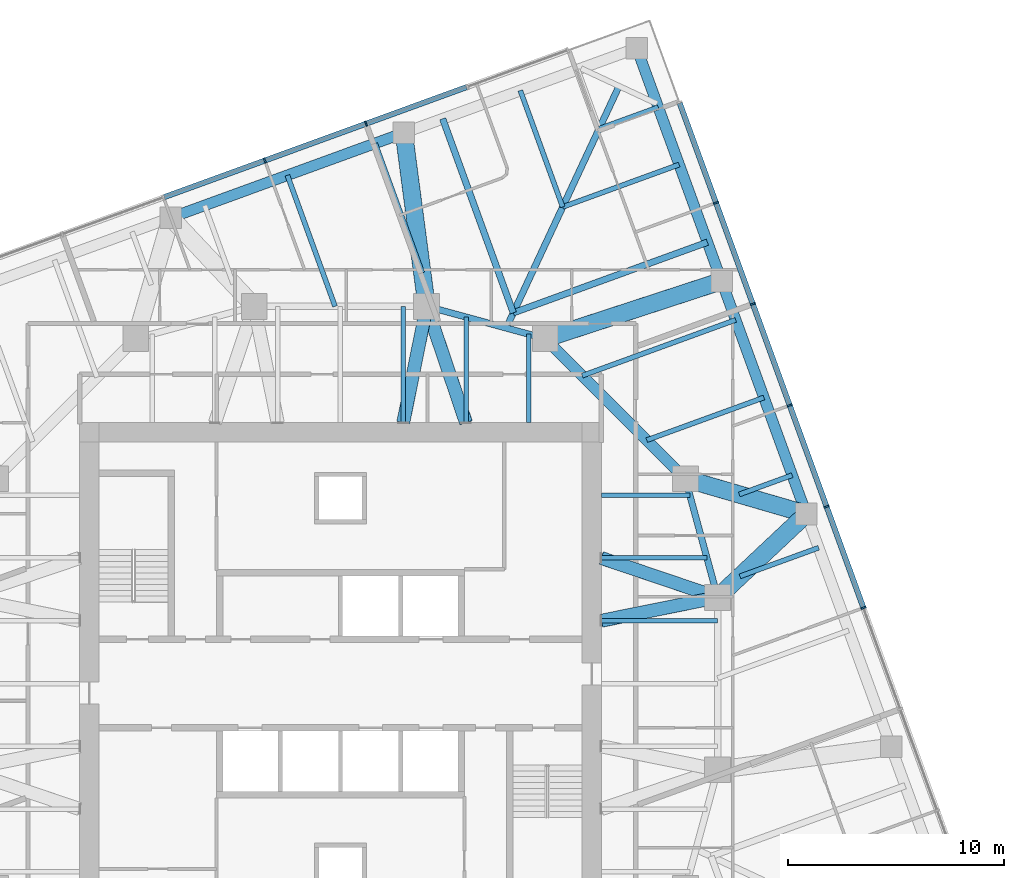
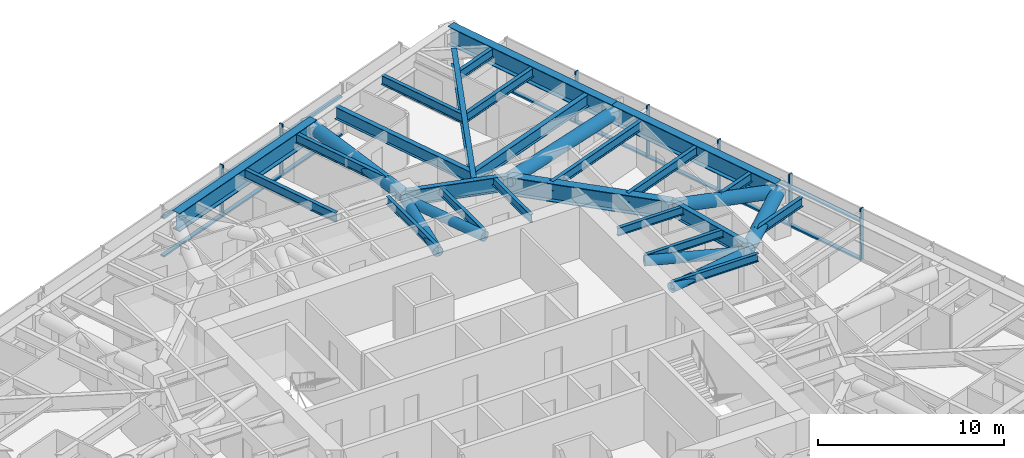
# One storey, part 6 of 16: 31 members, 24 beams, 2 elements without a shape of their own.
"""IFC4 building model written with IfcOpenShell, lengths in metres."""

from ifc_helpers import new_model, si_unit, direction, frame, origin, origin_2d, place, context, subcontext, project, spatial, rectangle, hollow_circle, i_section, extrude, material, material_profile, profile_set, type_object, element, aggregate, save


model = new_model("IFC4")

# Units and contexts
model_context = context("Model", 3, precision=1e-05, world=origin(), true_north=direction((0.0, 1.0)))
body_context = subcontext(model_context, "Body", "Model", "MODEL_VIEW")
ifc_project = project(units=[si_unit("LENGTHUNIT", "METRE"), si_unit("AREAUNIT", "SQUARE_METRE"), si_unit("VOLUMEUNIT", "CUBIC_METRE"), si_unit("PLANEANGLEUNIT", "RADIAN"), si_unit("MASSUNIT", "GRAM", prefix="KILO")], contexts=[model_context])

# Site, building, storey
site_placement = place(None, origin())
site = spatial("IfcSite", under=ifc_project, at=site_placement, CompositionType="ELEMENT")
building_placement = place(site_placement, origin())
building = spatial("IfcBuilding", under=site, at=building_placement, Name="Torsade Residences", CompositionType="ELEMENT")
storey_placement = place(building_placement, frame((0.0, 0.0, 167.60009765625)))
storey = spatial("IfcBuildingStorey", under=building, at=storey_placement, Name="L46", CompositionType="ELEMENT", Elevation=167.60009765625)

# Beams
ifc_material_1 = material(Name="Steel grade 300", Category="steel")
ifc_material_profile_1 = material_profile(ifc_material_1, i_section(OverallWidth=0.300048828125, OverallDepth=1.0, WebThickness=0.01611328125, FlangeThickness=0.028076171875, at=origin_2d()), Name="1000WB215")
ifc_profile_set_1 = profile_set([ifc_material_profile_1], Name="Steel grade 300")
beam_type_1 = type_object("IfcBeamType", Name="CORNER GIRDER 1000WB215", PredefinedType="BEAM", material=ifc_profile_set_1)
beam_1_placement = place(storey_placement, frame((52.924560546875, 57.717041015625, 2.699951171875), z_axis=(-0.422616712682, -0.906308509373, 0.0), x_axis=(0.906308509373, -0.422616712682, 0.0)))
element("IfcBeam", 1, at=beam_1_placement, inside=storey, type_object=beam_type_1, Name="Corner girder 09 L47", PredefinedType="BEAM", context=body_context, shape_type="SweptSolid", body=[
    extrude(i_section(OverallWidth=0.300048828125, OverallDepth=1.0, WebThickness=0.01611328125, FlangeThickness=0.028076171875, at=origin_2d()), origin(), (0.0, 0.0, 1.0), 12.3837890625),
])
ifc_material_2 = material(Name="Steel grade 300", Category="steel")
ifc_material_profile_2 = material_profile(ifc_material_2, i_section(OverallWidth=0.208984375, OverallDepth=0.528076171875, WebThickness=0.009521484375, FlangeThickness=0.01318359375, FilletRadius=0.013916015625, at=origin_2d()), Name="530UB82.0")
ifc_profile_set_2 = profile_set([ifc_material_profile_2], Name="Steel grade 300")
beam_type_2 = type_object("IfcBeamType", Name="INNER FLOOR BEAM 530UB82.0", PredefinedType="JOIST", material=ifc_profile_set_2)
beam_2_placement = place(storey_placement, frame((42.91259765625, 42.10009765625, 2.935791015625), z_axis=(0.0, 1.0, 0.0), x_axis=(-1.0, 0.0, 0.0)))
element("IfcBeam", 2, at=beam_2_placement, inside=storey, type_object=beam_type_2, Name="Inner floor beam IN05 L47", PredefinedType="JOIST", context=body_context, shape_type="SweptSolid", body=[
    extrude(i_section(OverallWidth=0.208984375, OverallDepth=0.528076171875, WebThickness=0.009521484375, FlangeThickness=0.01318359375, FilletRadius=0.013916015625, at=origin_2d()), origin(), (0.0, 0.0, 1.0), 5.39990234375),
])
beam_3_placement = place(storey_placement, frame((45.824951171875, 42.10009765625, 2.935791015625), z_axis=(0.0, 1.0, 0.0), x_axis=(-1.0, 0.0, 0.0)))
element("IfcBeam", 3, at=beam_3_placement, inside=storey, type_object=beam_type_2, Name="Inner floor beam IN06 L47", PredefinedType="JOIST", context=body_context, shape_type="SweptSolid", body=[
    extrude(i_section(OverallWidth=0.208984375, OverallDepth=0.528076171875, WebThickness=0.009521484375, FlangeThickness=0.01318359375, FilletRadius=0.013916015625, at=origin_2d()), origin(), (0.0, 0.0, 1.0), 4.902099609375),
])
beam_4_placement = place(storey_placement, frame((48.737548828125, 42.10009765625, 2.935791015625), z_axis=(0.0, 1.0, 0.0), x_axis=(-1.0, 0.0, 0.0)))
element("IfcBeam", 4, at=beam_4_placement, inside=storey, type_object=beam_type_2, Name="Inner floor beam IN07 L47", PredefinedType="JOIST", context=body_context, shape_type="SweptSolid", body=[
    extrude(i_section(OverallWidth=0.208984375, OverallDepth=0.528076171875, WebThickness=0.009521484375, FlangeThickness=0.01318359375, FilletRadius=0.013916015625, at=origin_2d()), origin(), (0.0, 0.0, 1.0), 4.10791015625),
])
beam_5_placement = place(storey_placement, frame((52.10009765625, 32.91259765625, 2.935791015625), z_axis=(1.0, 0.0, 0.0), x_axis=(0.0, 1.0, 0.0)))
element("IfcBeam", 5, at=beam_5_placement, inside=storey, type_object=beam_type_2, Name="Inner floor beam IE05 L47", PredefinedType="JOIST", context=body_context, shape_type="SweptSolid", body=[
    extrude(i_section(OverallWidth=0.208984375, OverallDepth=0.528076171875, WebThickness=0.009521484375, FlangeThickness=0.01318359375, FilletRadius=0.013916015625, at=origin_2d()), origin(), (0.0, 0.0, 1.0), 5.39990234375),
])
beam_6_placement = place(storey_placement, frame((52.10009765625, 35.824951171875, 2.935791015625), z_axis=(1.0, 0.0, 0.0), x_axis=(0.0, 1.0, 0.0)))
element("IfcBeam", 6, at=beam_6_placement, inside=storey, type_object=beam_type_2, Name="Inner floor beam IE06 L47", PredefinedType="JOIST", context=body_context, shape_type="SweptSolid", body=[
    extrude(i_section(OverallWidth=0.208984375, OverallDepth=0.528076171875, WebThickness=0.009521484375, FlangeThickness=0.01318359375, FilletRadius=0.013916015625, at=origin_2d()), origin(), (0.0, 0.0, 1.0), 4.902099609375),
])
beam_7_placement = place(storey_placement, frame((52.10009765625, 38.737548828125, 2.935791015625), z_axis=(1.0, 0.0, 0.0), x_axis=(0.0, 1.0, 0.0)))
element("IfcBeam", 7, at=beam_7_placement, inside=storey, type_object=beam_type_2, Name="Inner floor beam IE07 L47", PredefinedType="JOIST", context=body_context, shape_type="SweptSolid", body=[
    extrude(i_section(OverallWidth=0.208984375, OverallDepth=0.528076171875, WebThickness=0.009521484375, FlangeThickness=0.01318359375, FilletRadius=0.013916015625, at=origin_2d()), origin(), (0.0, 0.0, 1.0), 4.10791015625),
])

# Curtain wall, members
ifc_material_3 = material(Name="Aluminium and glass", Category="aluminium")
curtain_wall_type = type_object("IfcCurtainWallType", Name="FRITTED GLASS CURTAIN WALL MID ZONE", PredefinedType="NOTDEFINED", material=ifc_material_3)
curtain_wall_1_placement = place(storey_placement, origin())
curtain_wall_1 = element("IfcCurtainWall", 8, at=curtain_wall_1_placement, inside=storey, type_object=curtain_wall_type, Name="Curtain wall L46 face 4", PredefinedType="NOTDEFINED")
ifc_material_4 = material(Name="Aluminium mullion", Category="aluminium")
ifc_material_profile_3 = material_profile(ifc_material_4, rectangle(XDim=0.25, YDim=0.080078125, at=origin_2d()), Name="MID ZONE CURTAIN WALL MULLION 250x80")
ifc_profile_set_3 = profile_set([ifc_material_profile_3], Name="Aluminium mullion")
member_type_1 = type_object("IfcMemberType", Name="MID ZONE CURTAIN WALL MULLION 250x80", PredefinedType="MULLION", material=ifc_profile_set_3)
member_1_placement = place(storey_placement, frame((64.2626953125, 33.510009765625, 0.0), z_axis=(0.0, 0.0, 1.0), x_axis=(-0.939692619132, -0.342020147869, 0.0)))
member_1 = element("IfcMember", 9, at=member_1_placement, type_object=member_type_1, Name="Mullion 4", PredefinedType="MULLION", context=body_context, shape_type="SweptSolid", body=[
    extrude(rectangle(XDim=0.25, YDim=0.080078125, at=origin_2d()), origin(), (0.0, 0.0, 1.0), 3.39990234375),
])
member_2_placement = place(storey_placement, frame((62.552734375, 38.20849609375, 0.0), z_axis=(0.0, 0.0, 1.0), x_axis=(-0.939692619132, -0.342020147869, 0.0)))
member_2 = element("IfcMember", 10, at=member_2_placement, type_object=member_type_1, Name="Mullion 5", PredefinedType="MULLION", context=body_context, shape_type="SweptSolid", body=[
    extrude(rectangle(XDim=0.25, YDim=0.080078125, at=origin_2d()), origin(), (0.0, 0.0, 1.0), 3.39990234375),
])
member_3_placement = place(storey_placement, frame((60.842529296875, 42.906982421875, 0.0), z_axis=(0.0, 0.0, 1.0), x_axis=(-0.939692619132, -0.342020147869, 0.0)))
member_3 = element("IfcMember", 11, at=member_3_placement, type_object=member_type_1, Name="Mullion 6", PredefinedType="MULLION", context=body_context, shape_type="SweptSolid", body=[
    extrude(rectangle(XDim=0.25, YDim=0.080078125, at=origin_2d()), origin(), (0.0, 0.0, 1.0), 3.39990234375),
])
member_4_placement = place(storey_placement, frame((59.13232421875, 47.60546875, 0.0), z_axis=(0.0, 0.0, 1.0), x_axis=(-0.939692619132, -0.342020147869, 0.0)))
member_4 = element("IfcMember", 12, at=member_4_placement, type_object=member_type_1, Name="Mullion 7", PredefinedType="MULLION", context=body_context, shape_type="SweptSolid", body=[
    extrude(rectangle(XDim=0.25, YDim=0.080078125, at=origin_2d()), origin(), (0.0, 0.0, 1.0), 3.39990234375),
])
member_5_placement = place(storey_placement, frame((57.42236328125, 52.303955078125, 0.0), z_axis=(0.0, 0.0, 1.0), x_axis=(-0.939692619132, -0.342020147869, 0.0)))
member_5 = element("IfcMember", 13, at=member_5_placement, type_object=member_type_1, Name="Mullion 8", PredefinedType="MULLION", context=body_context, shape_type="SweptSolid", body=[
    extrude(rectangle(XDim=0.25, YDim=0.080078125, at=origin_2d()), origin(), (0.0, 0.0, 1.0), 3.39990234375),
])

curtain_wall_2_placement = place(storey_placement, origin())
curtain_wall_2 = element("IfcCurtainWall", 14, at=curtain_wall_2_placement, inside=storey, type_object=curtain_wall_type, Name="Curtain wall L46 face 7", PredefinedType="NOTDEFINED")
member_6_placement = place(storey_placement, frame((41.1884765625, 55.972900390625, 0.0), z_axis=(0.0, 0.0, 1.0), x_axis=(0.342020147869, -0.939692619132, 0.0)))
member_6 = element("IfcMember", 15, at=member_6_placement, type_object=member_type_1, Name="Mullion 3", PredefinedType="MULLION", context=body_context, shape_type="SweptSolid", body=[
    extrude(rectangle(XDim=0.25, YDim=0.080078125, at=origin_2d()), origin(), (0.0, 0.0, 1.0), 3.39990234375),
])
member_7_placement = place(storey_placement, frame((36.489990234375, 54.2626953125, 0.0), z_axis=(0.0, 0.0, 1.0), x_axis=(0.342020147869, -0.939692619132, 0.0)))
member_7 = element("IfcMember", 16, at=member_7_placement, type_object=member_type_1, Name="Mullion 4", PredefinedType="MULLION", context=body_context, shape_type="SweptSolid", body=[
    extrude(rectangle(XDim=0.25, YDim=0.080078125, at=origin_2d()), origin(), (0.0, 0.0, 1.0), 3.39990234375),
])

# Member
ifc_material_5 = material(Name="Aluminium transom", Category="aluminium")
ifc_material_profile_4 = material_profile(ifc_material_5, rectangle(XDim=0.25, YDim=0.110107421875, at=origin_2d()), Name="MID ZONE CURTAIN WALL TRANSOM 250x110")
ifc_profile_set_4 = profile_set([ifc_material_profile_4], Name="Aluminium transom")
member_type_2 = type_object("IfcMemberType", Name="MID ZONE CURTAIN WALL TRANSOM 250x110", PredefinedType="USERDEFINED", material=ifc_profile_set_4)
member_8_placement = place(storey_placement, frame((64.2490234375, 33.547607421875, 0.054931640625), z_axis=(-0.341998044792, 0.9397006637, 0.0), x_axis=(-0.9397006637, -0.341998044792, 0.0)))
member_8 = element("IfcMember", 17, at=member_8_placement, type_object=member_type_2, Name="Transom 4.1", ObjectType="TRANSOM", PredefinedType="USERDEFINED", context=body_context, shape_type="SweptSolid", body=[
    extrude(rectangle(XDim=0.25, YDim=0.110107421875, at=origin_2d()), origin(), (0.0, 0.0, 1.0), 4.919921875),
])

member_9_placement = place(storey_placement, frame((64.2490234375, 33.547607421875, 2.554931640625), z_axis=(-0.341998044792, 0.9397006637, 0.0), x_axis=(-0.9397006637, -0.341998044792, 0.0)))
member_9 = element("IfcMember", 18, at=member_9_placement, type_object=member_type_2, Name="Transom 4.2", ObjectType="TRANSOM", PredefinedType="USERDEFINED", context=body_context, shape_type="SweptSolid", body=[
    extrude(rectangle(XDim=0.25, YDim=0.110107421875, at=origin_2d()), origin(), (0.0, 0.0, 1.0), 4.919921875),
])

member_10_placement = place(storey_placement, frame((62.5390625, 38.24609375, 0.054931640625), z_axis=(-0.342041862168, 0.93968471549, 0.0), x_axis=(-0.93968471549, -0.342041862168, 0.0)))
member_10 = element("IfcMember", 19, at=member_10_placement, type_object=member_type_2, Name="Transom 5.1", ObjectType="TRANSOM", PredefinedType="USERDEFINED", context=body_context, shape_type="SweptSolid", body=[
    extrude(rectangle(XDim=0.25, YDim=0.110107421875, at=origin_2d()), origin(), (0.0, 0.0, 1.0), 4.920166015625),
])

member_11_placement = place(storey_placement, frame((62.5390625, 38.24609375, 2.554931640625), z_axis=(-0.342041862168, 0.93968471549, 0.0), x_axis=(-0.93968471549, -0.342041862168, 0.0)))
member_11 = element("IfcMember", 20, at=member_11_placement, type_object=member_type_2, Name="Transom 5.2", ObjectType="TRANSOM", PredefinedType="USERDEFINED", context=body_context, shape_type="SweptSolid", body=[
    extrude(rectangle(XDim=0.25, YDim=0.110107421875, at=origin_2d()), origin(), (0.0, 0.0, 1.0), 4.920166015625),
])

member_12_placement = place(storey_placement, frame((60.828857421875, 42.944580078125, 0.054931640625), z_axis=(-0.342041862168, 0.93968471549, 0.0), x_axis=(-0.93968471549, -0.342041862168, 0.0)))
member_12 = element("IfcMember", 21, at=member_12_placement, type_object=member_type_2, Name="Transom 6.1", ObjectType="TRANSOM", PredefinedType="USERDEFINED", context=body_context, shape_type="SweptSolid", body=[
    extrude(rectangle(XDim=0.25, YDim=0.110107421875, at=origin_2d()), origin(), (0.0, 0.0, 1.0), 4.920166015625),
])

member_13_placement = place(storey_placement, frame((60.828857421875, 42.944580078125, 2.554931640625), z_axis=(-0.342041862168, 0.93968471549, 0.0), x_axis=(-0.93968471549, -0.342041862168, 0.0)))
member_13 = element("IfcMember", 22, at=member_13_placement, type_object=member_type_2, Name="Transom 6.2", ObjectType="TRANSOM", PredefinedType="USERDEFINED", context=body_context, shape_type="SweptSolid", body=[
    extrude(rectangle(XDim=0.25, YDim=0.110107421875, at=origin_2d()), origin(), (0.0, 0.0, 1.0), 4.920166015625),
])

member_14_placement = place(storey_placement, frame((59.11865234375, 47.64306640625, 0.054931640625), z_axis=(-0.341998044792, 0.9397006637, 0.0), x_axis=(-0.9397006637, -0.341998044792, 0.0)))
member_14 = element("IfcMember", 23, at=member_14_placement, type_object=member_type_2, Name="Transom 7.1", ObjectType="TRANSOM", PredefinedType="USERDEFINED", context=body_context, shape_type="SweptSolid", body=[
    extrude(rectangle(XDim=0.25, YDim=0.110107421875, at=origin_2d()), origin(), (0.0, 0.0, 1.0), 4.919921875),
])

member_15_placement = place(storey_placement, frame((59.11865234375, 47.64306640625, 2.554931640625), z_axis=(-0.341998044792, 0.9397006637, 0.0), x_axis=(-0.9397006637, -0.341998044792, 0.0)))
member_15 = element("IfcMember", 24, at=member_15_placement, type_object=member_type_2, Name="Transom 7.2", ObjectType="TRANSOM", PredefinedType="USERDEFINED", context=body_context, shape_type="SweptSolid", body=[
    extrude(rectangle(XDim=0.25, YDim=0.110107421875, at=origin_2d()), origin(), (0.0, 0.0, 1.0), 4.919921875),
])

member_16_placement = place(storey_placement, frame((57.40869140625, 52.341552734375, 0.054931640625), z_axis=(-0.342044311564, 0.939683823915, 0.0), x_axis=(-0.939683823915, -0.342044311564, 0.0)))
member_16 = element("IfcMember", 25, at=member_16_placement, type_object=member_type_2, Name="Transom 8.1", ObjectType="TRANSOM", PredefinedType="USERDEFINED", context=body_context, shape_type="SweptSolid", body=[
    extrude(rectangle(XDim=0.25, YDim=0.110107421875, at=origin_2d()), origin(), (0.0, 0.0, 1.0), 4.880126953125),
])

member_17_placement = place(storey_placement, frame((57.40869140625, 52.341552734375, 2.554931640625), z_axis=(-0.342044311564, 0.939683823915, 0.0), x_axis=(-0.939683823915, -0.342044311564, 0.0)))
member_17 = element("IfcMember", 26, at=member_17_placement, type_object=member_type_2, Name="Transom 8.2", ObjectType="TRANSOM", PredefinedType="USERDEFINED", context=body_context, shape_type="SweptSolid", body=[
    extrude(rectangle(XDim=0.25, YDim=0.110107421875, at=origin_2d()), origin(), (0.0, 0.0, 1.0), 4.880126953125),
])

aggregate(curtain_wall_1, [member_1, member_2, member_3, member_4, member_5, member_8, member_9, member_10, member_11, member_12, member_13, member_14, member_15, member_16, member_17])

member_18_placement = place(storey_placement, frame((45.849365234375, 57.669189453125, 0.054931640625), z_axis=(-0.9397006637, -0.341998044792, 0.0), x_axis=(0.341998044792, -0.9397006637, 0.0)))
member_18 = element("IfcMember", 27, at=member_18_placement, type_object=member_type_2, Name="Transom 2.1", ObjectType="TRANSOM", PredefinedType="USERDEFINED", context=body_context, shape_type="SweptSolid", body=[
    extrude(rectangle(XDim=0.25, YDim=0.110107421875, at=origin_2d()), origin(), (0.0, 0.0, 1.0), 4.919921875),
])

member_19_placement = place(storey_placement, frame((45.849365234375, 57.669189453125, 2.554931640625), z_axis=(-0.9397006637, -0.341998044792, 0.0), x_axis=(0.341998044792, -0.9397006637, 0.0)))
member_19 = element("IfcMember", 28, at=member_19_placement, type_object=member_type_2, Name="Transom 2.2", ObjectType="TRANSOM", PredefinedType="USERDEFINED", context=body_context, shape_type="SweptSolid", body=[
    extrude(rectangle(XDim=0.25, YDim=0.110107421875, at=origin_2d()), origin(), (0.0, 0.0, 1.0), 4.919921875),
])

member_20_placement = place(storey_placement, frame((41.15087890625, 55.959228515625, 0.054931640625), z_axis=(-0.93968471549, -0.342041862168, 0.0), x_axis=(0.342041862168, -0.93968471549, 0.0)))
member_20 = element("IfcMember", 29, at=member_20_placement, type_object=member_type_2, Name="Transom 3.1", ObjectType="TRANSOM", PredefinedType="USERDEFINED", context=body_context, shape_type="SweptSolid", body=[
    extrude(rectangle(XDim=0.25, YDim=0.110107421875, at=origin_2d()), origin(), (0.0, 0.0, 1.0), 4.920166015625),
])

member_21_placement = place(storey_placement, frame((41.15087890625, 55.959228515625, 2.554931640625), z_axis=(-0.93968471549, -0.342041862168, 0.0), x_axis=(0.342041862168, -0.93968471549, 0.0)))
member_21 = element("IfcMember", 30, at=member_21_placement, type_object=member_type_2, Name="Transom 3.2", ObjectType="TRANSOM", PredefinedType="USERDEFINED", context=body_context, shape_type="SweptSolid", body=[
    extrude(rectangle(XDim=0.25, YDim=0.110107421875, at=origin_2d()), origin(), (0.0, 0.0, 1.0), 4.920166015625),
])

member_22_placement = place(storey_placement, frame((36.452392578125, 54.2490234375, 0.054931640625), z_axis=(-0.9397006637, -0.341998044792, 0.0), x_axis=(0.341998044792, -0.9397006637, 0.0)))
member_22 = element("IfcMember", 31, at=member_22_placement, type_object=member_type_2, Name="Transom 4.1", ObjectType="TRANSOM", PredefinedType="USERDEFINED", context=body_context, shape_type="SweptSolid", body=[
    extrude(rectangle(XDim=0.25, YDim=0.110107421875, at=origin_2d()), origin(), (0.0, 0.0, 1.0), 4.919921875),
])

member_23_placement = place(storey_placement, frame((36.452392578125, 54.2490234375, 2.554931640625), z_axis=(-0.9397006637, -0.341998044792, 0.0), x_axis=(0.341998044792, -0.9397006637, 0.0)))
member_23 = element("IfcMember", 32, at=member_23_placement, type_object=member_type_2, Name="Transom 4.2", ObjectType="TRANSOM", PredefinedType="USERDEFINED", context=body_context, shape_type="SweptSolid", body=[
    extrude(rectangle(XDim=0.25, YDim=0.110107421875, at=origin_2d()), origin(), (0.0, 0.0, 1.0), 4.919921875),
])

aggregate(curtain_wall_2, [member_6, member_7, member_18, member_19, member_20, member_21, member_22, member_23])

# Beams
ifc_material_6 = material(Name="Steel grade 300", Category="steel")
ifc_material_profile_5 = material_profile(ifc_material_6, i_section(OverallWidth=0.5, OverallDepth=1.199951171875, WebThickness=0.01611328125, FlangeThickness=0.0400390625, at=origin_2d()), Name="1200WB455")
ifc_profile_set_5 = profile_set([ifc_material_profile_5], Name="Steel grade 300")
beam_type_3 = type_object("IfcBeamType", Name="RING CORNER GIRDER 1200WB455", PredefinedType="BEAM", material=ifc_profile_set_5)
beam_8_placement = place(storey_placement, frame((56.0, 39.5, 2.599853515625), z_axis=(-0.707106781187, 0.707106781187, 0.0), x_axis=(-0.707106781187, -0.707106781187, 0.0)))
element("IfcBeam", 33, at=beam_8_placement, inside=storey, type_object=beam_type_3, Name="Ring girder IR03 L47", PredefinedType="BEAM", context=body_context, shape_type="SweptSolid", body=[
    extrude(i_section(OverallWidth=0.5, OverallDepth=1.199951171875, WebThickness=0.01611328125, FlangeThickness=0.0400390625, at=origin_2d()), origin(), (0.0, 0.0, 1.0), 9.1923828125),
])
ifc_material_7 = material(Name="Steel grade 300", Category="steel")
ifc_material_profile_6 = material_profile(ifc_material_7, i_section(OverallWidth=0.300048828125, OverallDepth=1.0, WebThickness=0.01611328125, FlangeThickness=0.028076171875, at=origin_2d()), Name="1000WB215")
ifc_profile_set_6 = profile_set([ifc_material_profile_6], Name="Steel grade 300")
beam_type_4 = type_object("IfcBeamType", Name="RING GIRDER 1000WB215", PredefinedType="BEAM", material=ifc_profile_set_6)
for number, where, z_axis, x_axis, name in (
    (34, (57.5, 34.0, 2.699951171875), (-0.263117405792, 0.964763821238, 0.0), (-0.964763821238, -0.263117405792, 0.0), "Ring girder IR02 L47"),
    (35, (49.5, 46.0, 2.699951171875), (-0.964763821238, 0.263117405792, 0.0), (-0.263117405792, -0.964763821238, 0.0), "Ring girder IR04 L47"),
):
    element("IfcBeam", number, at=place(storey_placement, frame(where, z_axis=z_axis, x_axis=x_axis)), inside=storey, type_object=beam_type_4, Name=name, PredefinedType="BEAM", context=body_context, shape_type="SweptSolid", body=[
        extrude(i_section(OverallWidth=0.300048828125, OverallDepth=1.0, WebThickness=0.01611328125, FlangeThickness=0.028076171875, at=origin_2d()), origin(), (0.0, 0.0, 1.0), 5.700927734375),
    ])
ifc_material_8 = material(Name="Steel grade 300", Category="steel")
ifc_material_profile_7 = material_profile(ifc_material_8, i_section(OverallWidth=0.22900390625, OverallDepth=0.612060546875, WebThickness=0.011962890625, FlangeThickness=0.01953125, FilletRadius=0.013916015625, at=origin_2d()), Name="610UB125")
ifc_profile_set_7 = profile_set([ifc_material_profile_7], Name="Steel grade 300")
beam_type_5 = type_object("IfcBeamType", Name="SECONDARY BEAM 610UB125", PredefinedType="JOIST", material=ifc_profile_set_7)
beam_9_placement = place(storey_placement, frame((62.182861328125, 36.30029296875, 2.893798828125), z_axis=(-0.939703434875, -0.341990430397, 0.0), x_axis=(0.341990430397, -0.939703434875, 0.0)))
element("IfcBeam", 36, at=beam_9_placement, inside=storey, type_object=beam_type_5, Name="Floor beam FE06 L47", PredefinedType="JOIST", context=body_context, shape_type="SweptSolid", body=[
    extrude(i_section(OverallWidth=0.22900390625, OverallDepth=0.612060546875, WebThickness=0.011962890625, FlangeThickness=0.01953125, FilletRadius=0.013916015625, at=origin_2d()), origin(), (0.0, 0.0, 1.0), 3.8828125),
])
beam_10_placement = place(storey_placement, frame((60.957275390625, 39.66748046875, 2.893798828125), z_axis=(-0.93968711043, -0.342035282523, 0.0), x_axis=(0.342035282523, -0.93968711043, 0.0)))
element("IfcBeam", 37, at=beam_10_placement, inside=storey, type_object=beam_type_5, Name="Floor beam FE07 L47", PredefinedType="JOIST", context=body_context, shape_type="SweptSolid", body=[
    extrude(i_section(OverallWidth=0.22900390625, OverallDepth=0.612060546875, WebThickness=0.011962890625, FlangeThickness=0.01953125, FilletRadius=0.013916015625, at=origin_2d()), origin(), (0.0, 0.0, 1.0), 2.615966796875),
])
beam_11_placement = place(storey_placement, frame((59.646240234375, 43.269775390625, 2.893798828125), z_axis=(-0.939687428295, -0.342034409239, 0.0), x_axis=(0.342034409239, -0.939687428295, 0.0)))
element("IfcBeam", 38, at=beam_11_placement, inside=storey, type_object=beam_type_5, Name="Floor beam FE08 L47", PredefinedType="JOIST", context=body_context, shape_type="SweptSolid", body=[
    extrude(i_section(OverallWidth=0.22900390625, OverallDepth=0.612060546875, WebThickness=0.011962890625, FlangeThickness=0.01953125, FilletRadius=0.013916015625, at=origin_2d()), origin(), (0.0, 0.0, 1.0), 5.785888671875),
])
beam_12_placement = place(storey_placement, frame((58.335205078125, 46.871826171875, 2.893798828125), z_axis=(-0.939689847531, -0.342027762686, 0.0), x_axis=(0.342027762686, -0.939689847531, 0.0)))
element("IfcBeam", 39, at=beam_12_placement, inside=storey, type_object=beam_type_5, Name="Floor beam FE09 L47", PredefinedType="JOIST", context=body_context, shape_type="SweptSolid", body=[
    extrude(i_section(OverallWidth=0.22900390625, OverallDepth=0.612060546875, WebThickness=0.011962890625, FlangeThickness=0.01953125, FilletRadius=0.013916015625, at=origin_2d()), origin(), (0.0, 0.0, 1.0), 7.573486328125),
])
beam_13_placement = place(storey_placement, frame((55.713134765625, 54.076171875, 2.893798828125), z_axis=(-0.939697932031, -0.342005550448, 0.0), x_axis=(0.342005550448, -0.939697932031, 0.0)))
element("IfcBeam", 40, at=beam_13_placement, inside=storey, type_object=beam_type_5, Name="Floor beam FE11 L47", PredefinedType="JOIST", context=body_context, shape_type="SweptSolid", body=[
    extrude(i_section(OverallWidth=0.22900390625, OverallDepth=0.612060546875, WebThickness=0.011962890625, FlangeThickness=0.01953125, FilletRadius=0.013916015625, at=origin_2d()), origin(), (0.0, 0.0, 1.0), 5.75),
])
beam_14_placement = place(storey_placement, frame((54.744140625, 56.738525390625, 2.893798828125), z_axis=(-0.939700524495, -0.341998427281, 0.0), x_axis=(0.341998427281, -0.939700524495, 0.0)))
element("IfcBeam", 41, at=beam_14_placement, inside=storey, type_object=beam_type_5, Name="Floor beam FE12 L47", PredefinedType="JOIST", context=body_context, shape_type="SweptSolid", body=[
    extrude(i_section(OverallWidth=0.22900390625, OverallDepth=0.612060546875, WebThickness=0.011962890625, FlangeThickness=0.01953125, FilletRadius=0.013916015625, at=origin_2d()), origin(), (0.0, 0.0, 1.0), 2.916748046875),
])
beam_15_placement = place(storey_placement, frame((48.34326171875, 57.5126953125, 2.893798828125), z_axis=(0.342019196443, -0.939692965423, 0.0), x_axis=(0.939692965423, 0.342019196443, 0.0)))
element("IfcBeam", 42, at=beam_15_placement, inside=storey, type_object=beam_type_5, Name="Floor beam FN02 L47", PredefinedType="JOIST", context=body_context, shape_type="SweptSolid", body=[
    extrude(i_section(OverallWidth=0.22900390625, OverallDepth=0.612060546875, WebThickness=0.011962890625, FlangeThickness=0.01953125, FilletRadius=0.013916015625, at=origin_2d()), origin(), (0.0, 0.0, 1.0), 5.749755859375),
])
beam_16_placement = place(storey_placement, frame((41.60888671875, 55.0615234375, 2.893798828125), z_axis=(0.342003699059, -0.939698605846, 0.0), x_axis=(0.939698605846, 0.342003699059, 0.0)))
element("IfcBeam", 43, at=beam_16_placement, inside=storey, type_object=beam_type_5, Name="Floor beam FN04 L47", PredefinedType="JOIST", context=body_context, shape_type="SweptSolid", body=[
    extrude(i_section(OverallWidth=0.22900390625, OverallDepth=0.612060546875, WebThickness=0.011962890625, FlangeThickness=0.01953125, FilletRadius=0.013916015625, at=origin_2d()), origin(), (0.0, 0.0, 1.0), 6.392578125),
])
beam_17_placement = place(storey_placement, frame((37.536865234375, 53.57958984375, 2.893798828125), z_axis=(0.342000590983, -0.939699737026, 0.0), x_axis=(0.939699737026, 0.342000590983, 0.0)))
element("IfcBeam", 44, at=beam_17_placement, inside=storey, type_object=beam_type_5, Name="Floor beam FN05 L47", PredefinedType="JOIST", context=body_context, shape_type="SweptSolid", body=[
    extrude(i_section(OverallWidth=0.22900390625, OverallDepth=0.612060546875, WebThickness=0.011962890625, FlangeThickness=0.01953125, FilletRadius=0.013916015625, at=origin_2d()), origin(), (0.0, 0.0, 1.0), 6.4697265625),
])
ifc_material_9 = material(Name="Steel grade 300", Category="steel")
ifc_material_profile_8 = material_profile(ifc_material_9, i_section(OverallWidth=0.300048828125, OverallDepth=0.800048828125, WebThickness=0.010009765625, FlangeThickness=0.02001953125, at=origin_2d()), Name="800WB146")
ifc_profile_set_8 = profile_set([ifc_material_profile_8], Name="Steel grade 300")
beam_type_6 = type_object("IfcBeamType", Name="SECONDARY BEAM 800WB146", PredefinedType="JOIST", material=ifc_profile_set_8)
for number, where, z_axis, x_axis, name in (
    (45, (57.024169921875, 50.47412109375, 2.7998046875), (-0.939687757725, -0.342033504181, 0.0), (0.342033504181, -0.939687757725, 0.0), "Floor beam FE10 L47"),
    (46, (44.740966796875, 56.20166015625, 2.7998046875), (0.342033504181, -0.939687757725, 0.0), (0.939687757725, 0.342033504181, 0.0), "Floor beam FN03 L47"),
):
    element("IfcBeam", number, at=place(storey_placement, frame(where, z_axis=z_axis, x_axis=x_axis)), inside=storey, type_object=beam_type_6, Name=name, PredefinedType="JOIST", context=body_context, shape_type="SweptSolid", body=[
        extrude(i_section(OverallWidth=0.300048828125, OverallDepth=0.800048828125, WebThickness=0.010009765625, FlangeThickness=0.02001953125, at=origin_2d()), origin(), (0.0, 0.0, 1.0), 9.583251953125),
    ])

# Members
ifc_material_10 = material(Name="Steel grade 450", Category="steel")
ifc_material_profile_9 = material_profile(ifc_material_10, hollow_circle(Radius=0.304931640625, WallThickness=0.01611328125, at=origin_2d()), Name="610.0x16.0CHS")
ifc_profile_set_9 = profile_set([ifc_material_profile_9], Name="Steel grade 450")
member_type_3 = type_object("IfcMemberType", Name="TRANSFER FLOOR BRACE 610.0x16.0CHS", PredefinedType="BRACE", material=ifc_profile_set_9)
member_24_placement = place(storey_placement, frame((57.5, 34.0, 2.599853515625), z_axis=(-0.97976207845, -0.197299045909, 0.03375434957), x_axis=(0.197411538983, -0.980320704809, 0.0)))
element("IfcMember", 47, at=member_24_placement, inside=storey, type_object=member_type_3, Name="Transfer floor brace TT5 bottom IR02IE05", PredefinedType="BRACE", context=body_context, shape_type="SweptSolid", body=[
    extrude(hollow_circle(Radius=0.304931640625, WallThickness=0.01611328125, at=origin_2d()), origin(), (0.0, 0.0, 1.0), 5.511474609375),
])
member_25_placement = place(storey_placement, frame((57.5, 34.0, 2.599853515625), z_axis=(-0.946855969774, 0.319999474368, 0.032620682203), x_axis=(-0.320169867513, -0.947360151124, 0.0)))
element("IfcMember", 48, at=member_25_placement, inside=storey, type_object=member_type_3, Name="Transfer floor brace TT5 bottom IR02IE06", PredefinedType="BRACE", context=body_context, shape_type="SweptSolid", body=[
    extrude(hollow_circle(Radius=0.304931640625, WallThickness=0.01611328125, at=origin_2d()), origin(), (0.0, 0.0, 1.0), 5.702880859375),
])
member_26_placement = place(storey_placement, frame((44.0, 47.5, 2.599853515625), z_axis=(-0.197299045909, -0.97976207845, 0.03375434957), x_axis=(0.980320704809, -0.197411538983, 0.0)))
element("IfcMember", 49, at=member_26_placement, inside=storey, type_object=member_type_3, Name="Transfer floor brace TT5 bottom IR05IN05", PredefinedType="BRACE", context=body_context, shape_type="SweptSolid", body=[
    extrude(hollow_circle(Radius=0.304931640625, WallThickness=0.01611328125, at=origin_2d()), origin(), (0.0, 0.0, 1.0), 5.511474609375),
])
member_27_placement = place(storey_placement, frame((44.0, 47.5, 2.599853515625), z_axis=(0.319999474368, -0.946855969774, 0.032620682203), x_axis=(0.947360151124, 0.320169867513, 0.0)))
element("IfcMember", 50, at=member_27_placement, inside=storey, type_object=member_type_3, Name="Transfer floor brace TT5 bottom IR05IN06", PredefinedType="BRACE", context=body_context, shape_type="SweptSolid", body=[
    extrude(hollow_circle(Radius=0.304931640625, WallThickness=0.01611328125, at=origin_2d()), origin(), (0.0, 0.0, 1.0), 5.702880859375),
])
ifc_material_11 = material(Name="Steel grade 450", Category="steel")
ifc_material_profile_10 = material_profile(ifc_material_11, hollow_circle(Radius=0.406494140625, WallThickness=0.02490234375, at=origin_2d()), Name="813.0x25.0CHS")
ifc_profile_set_10 = profile_set([ifc_material_profile_10], Name="Steel grade 450")
member_type_4 = type_object("IfcMemberType", Name="TRANSFER FLOOR STRUT 813.0x25.0CHS", PredefinedType="STRUT", material=ifc_profile_set_10)
member_28_placement = place(storey_placement, frame((61.613037109375, 37.866455078125, 2.7998046875), z_axis=(-0.728609970603, -0.684928836258, 0.0), x_axis=(0.684928836258, -0.728609970603, 0.0)))
element("IfcMember", 51, at=member_28_placement, inside=storey, type_object=member_type_4, Name="Transfer floor strut TT5 bottom 07IR02", PredefinedType="STRUT", context=body_context, shape_type="SweptSolid", body=[
    extrude(hollow_circle(Radius=0.406494140625, WallThickness=0.02490234375, at=origin_2d()), origin(), (0.0, 0.0, 1.0), 5.64501953125),
])
member_29_placement = place(storey_placement, frame((61.613037109375, 37.866455078125, 2.7998046875), z_axis=(-0.960164945877, 0.279433850327, 0.0), x_axis=(-0.279433850327, -0.960164945877, 0.0)))
element("IfcMember", 52, at=member_29_placement, inside=storey, type_object=member_type_4, Name="Transfer floor strut TT5 bottom 07IR03", PredefinedType="STRUT", context=body_context, shape_type="SweptSolid", body=[
    extrude(hollow_circle(Radius=0.406494140625, WallThickness=0.02490234375, at=origin_2d()), origin(), (0.0, 0.0, 1.0), 5.845947265625),
])
member_30_placement = place(storey_placement, frame((57.6796875, 48.6728515625, 2.7998046875), z_axis=(-0.95053914703, -0.310604780972, 0.0), x_axis=(0.310604780972, -0.95053914703, 0.0)))
element("IfcMember", 53, at=member_30_placement, inside=storey, type_object=member_type_4, Name="Transfer floor strut TT5 bottom 08IR04", PredefinedType="STRUT", context=body_context, shape_type="SweptSolid", body=[
    extrude(hollow_circle(Radius=0.406494140625, WallThickness=0.02490234375, at=origin_2d()), origin(), (0.0, 0.0, 1.0), 8.605224609375),
])
member_31_placement = place(storey_placement, frame((42.93994140625, 55.546142578125, 2.7998046875), z_axis=(0.130618705739, -0.991432677347, 0.0), x_axis=(0.991432677347, 0.130618705739, 0.0)))
element("IfcMember", 54, at=member_31_placement, inside=storey, type_object=member_type_4, Name="Transfer floor strut TT5 bottom 10IR05", PredefinedType="STRUT", context=body_context, shape_type="SweptSolid", body=[
    extrude(hollow_circle(Radius=0.406494140625, WallThickness=0.02490234375, at=origin_2d()), origin(), (0.0, 0.0, 1.0), 8.11572265625),
])

# Beams
ifc_material_12 = material(Name="Steel grade 300", Category="steel")
ifc_material_profile_11 = material_profile(ifc_material_12, i_section(OverallWidth=0.5, OverallDepth=1.199951171875, WebThickness=0.01611328125, FlangeThickness=0.0400390625, at=origin_2d()), Name="1200WB455")
ifc_profile_set_11 = profile_set([ifc_material_profile_11], Name="Steel grade 300")
beam_type_7 = type_object("IfcBeamType", Name="TRANSFER TRUSS CHORD 1200WB455", PredefinedType="USERDEFINED", material=ifc_profile_set_11)
for number, where, z_axis, x_axis, name in (
    (55, (61.613037109375, 37.866455078125, 2.7998046875), (-0.342031119628, 0.939688625666, 0.0), (-0.939688625666, -0.342031119628, 0.0), "Transfer truss TT5 bottom chord 07"),
    (56, (57.6796875, 48.6728515625, 2.7998046875), (-0.342005550448, 0.939697932031, 0.0), (-0.939697932031, -0.342005550448, 0.0), "Transfer truss TT5 bottom chord 08"),
    (57, (42.93994140625, 55.546142578125, 2.7998046875), (-0.939695448801, -0.342012373318, 0.0), (0.342012373318, -0.939695448801, 0.0), "Transfer truss TT5 bottom chord 10"),
):
    element("IfcBeam", number, at=place(storey_placement, frame(where, z_axis=z_axis, x_axis=x_axis)), inside=storey, type_object=beam_type_7, Name=name, ObjectType="TRANSFER TRUSS CHORD", PredefinedType="USERDEFINED", context=body_context, shape_type="SweptSolid", body=[
        extrude(i_section(OverallWidth=0.5, OverallDepth=1.199951171875, WebThickness=0.01611328125, FlangeThickness=0.0400390625, at=origin_2d()), origin(), (0.0, 0.0, 1.0), 11.5),
    ])

save(model, "model.ifc")
